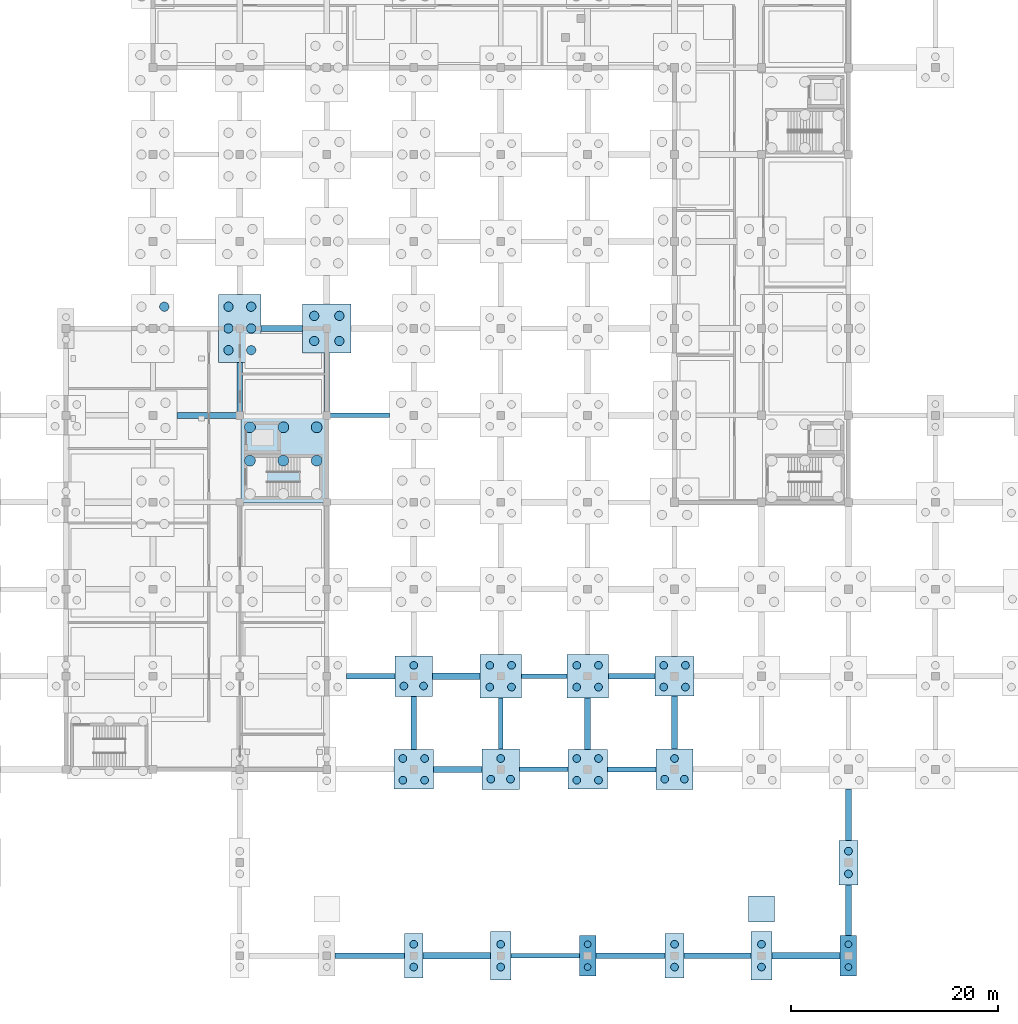
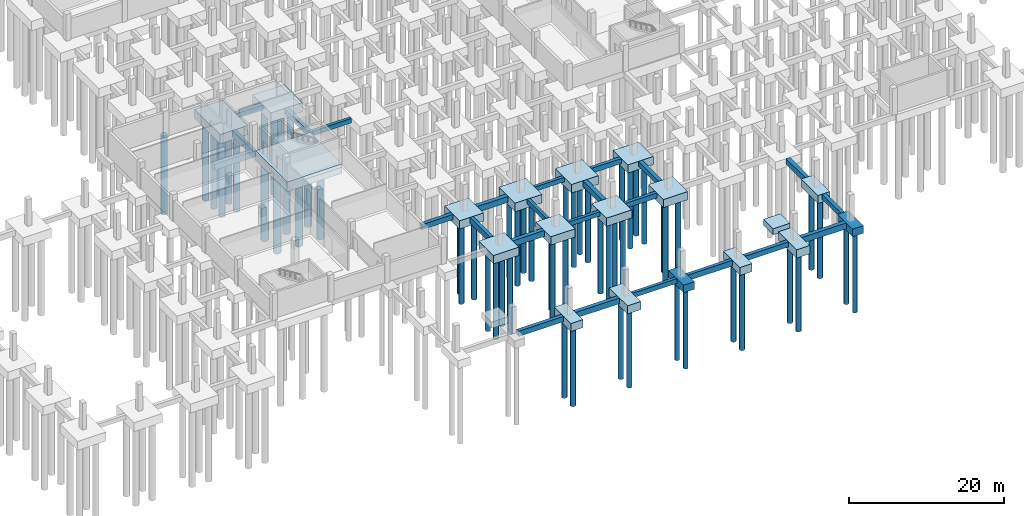
# One storey, part 3 of 20: 60 piles, 43 footings.
"""IFC4 building model written with IfcOpenShell, lengths in metres."""

from ifc_helpers import new_model, si_unit, direction, frame, origin, origin_2d, place, context, subcontext, project, spatial, rectangle, circle, extrude, material, material_profile, profile_set, type_object, element, save


model = new_model("IFC4")

# Units and contexts
model_context = context("Model", 3, precision=1e-05, world=origin(), true_north=direction((0.0, 1.0)))
body_context = subcontext(model_context, "Body", "Model", "MODEL_VIEW")
ifc_project = project(units=[si_unit("LENGTHUNIT", "METRE"), si_unit("AREAUNIT", "SQUARE_METRE"), si_unit("VOLUMEUNIT", "CUBIC_METRE"), si_unit("PLANEANGLEUNIT", "RADIAN"), si_unit("MASSUNIT", "GRAM", prefix="KILO")], contexts=[model_context])

# Site, building, storey
site_placement = place(None, origin())
site = spatial("IfcSite", under=ifc_project, at=site_placement, CompositionType="ELEMENT")
building_placement = place(site_placement, origin())
building = spatial("IfcBuilding", under=site, at=building_placement, Name="Vireocrest Preparatory School", CompositionType="ELEMENT")
storey_placement = place(building_placement, frame((0.0, 0.0, -4.199951171875)))
storey = spatial("IfcBuildingStorey", under=building, at=storey_placement, Name="B01", CompositionType="ELEMENT", Elevation=-4.199951171875)

# Piles
ifc_material = material(Name="Concrete 40 MPa", Category="concrete")
ifc_material_profile_1 = material_profile(ifc_material, circle(Radius=0.52490234375, at=origin_2d()), Name="BORED PILE 1050")
ifc_profile_set_1 = profile_set([ifc_material_profile_1], Name="Concrete 40 MPa")
pile_type_1 = type_object("IfcPileType", Name="Bored Concrete Pile 1050", PredefinedType="BORED", material=ifc_profile_set_1)
for number, where, z_axis, x_axis, name in (
    (1, (51.375, 47.824951171875, -1.400146484375), (0.0, 0.0, -1.0), (1.0, 0.0, 0.0), "Bored Pile P04 Core K1-2"),
    (2, (51.375, 51.050048828125, -1.400146484375), (0.0, 0.0, -1.0), (1.0, 0.0, 0.0), "Bored Pile P04 Core K1-3"),
    (3, (54.60009765625, 47.824951171875, -1.400146484375), (0.0, 0.0, -1.0), (1.0, 0.0, 0.0), "Bored Pile P04 Core K1-5"),
    (4, (54.60009765625, 51.050048828125, -1.400146484375), (0.0, 0.0, -1.0), (1.0, 0.0, 0.0), "Bored Pile P04 Core K1-6"),
    (5, (57.824951171875, 47.824951171875, -1.400146484375), (0.0, 0.0, -1.0), (1.0, 0.0, 0.0), "Bored Pile P04 Core K1-8"),
    (6, (57.824951171875, 51.050048828125, -1.400146484375), (0.0, 0.0, -1.0), (1.0, 0.0, 0.0), "Bored Pile P04 Core K1-9"),
):
    element("IfcPile", number, at=place(storey_placement, frame(where, z_axis=z_axis, x_axis=x_axis)), inside=storey, type_object=pile_type_1, Name=name, PredefinedType="BORED", context=body_context, shape_type="SweptSolid", body=[
        extrude(circle(Radius=0.52490234375, at=origin_2d()), origin(), (0.0, 0.0, 1.0), 12.39990234375),
    ])
ifc_material_profile_2 = material_profile(ifc_material, circle(Radius=0.324951171875, at=origin_2d()), Name="BORED PILE 650")
ifc_profile_set_2 = profile_set([ifc_material_profile_2], Name="Concrete 40 MPa")
pile_type_2 = type_object("IfcPileType", Name="Bored Concrete Pile 650", PredefinedType="BORED", material=ifc_profile_set_2)
for number, where, z_axis, x_axis, name in (
    (7, (84.0, -1.10009765625, -1.10009765625), (0.0, 0.0, -1.0), (1.0, 0.0, 0.0), "Bored Pile P01 087-1"),
    (8, (84.0, 1.10009765625, -1.10009765625), (0.0, 0.0, -1.0), (1.0, 0.0, 0.0), "Bored Pile P01 087-2"),
    (9, (109.199951171875, -1.10009765625, -1.10009765625), (0.0, 0.0, -1.0), (1.0, 0.0, 0.0), "Bored Pile P01 126-1"),
    (10, (109.199951171875, 1.10009765625, -1.10009765625), (0.0, 0.0, -1.0), (1.0, 0.0, 0.0), "Bored Pile P01 126-2"),
):
    element("IfcPile", number, at=place(storey_placement, frame(where, z_axis=z_axis, x_axis=x_axis)), inside=storey, type_object=pile_type_2, Name=name, PredefinedType="BORED", context=body_context, shape_type="SweptSolid", body=[
        extrude(circle(Radius=0.324951171875, at=origin_2d()), origin(), (0.0, 0.0, 1.0), 12.699951171875),
    ])
ifc_material_profile_3 = material_profile(ifc_material, circle(Radius=0.375, at=origin_2d()), Name="BORED PILE 750")
ifc_profile_set_3 = profile_set([ifc_material_profile_3], Name="Concrete 40 MPa")
pile_type_3 = type_object("IfcPileType", Name="Bored Concrete Pile 750", PredefinedType="BORED", material=ifc_profile_set_3)
for number, where, z_axis, x_axis, name in (
    (11, (67.199951171875, -1.10009765625, -1.150146484375), (0.0, 0.0, -1.0), (1.0, 0.0, 0.0), "Bored Pile P02 061-1"),
    (12, (67.199951171875, 1.10009765625, -1.150146484375), (0.0, 0.0, -1.0), (1.0, 0.0, 0.0), "Bored Pile P02 061-2"),
):
    element("IfcPile", number, at=place(storey_placement, frame(where, z_axis=z_axis, x_axis=x_axis)), inside=storey, type_object=pile_type_3, Name=name, PredefinedType="BORED", context=body_context, shape_type="SweptSolid", body=[
        extrude(circle(Radius=0.375, at=origin_2d()), origin(), (0.0, 0.0, 1.0), 12.64990234375),
    ])
for number, where, z_axis, x_axis, name in (
    (13, (66.14990234375, 16.949951171875, -1.199951171875), (0.0, 0.0, -1.0), (1.0, 0.0, 0.0), "Bored Pile P02 062-1"),
    (14, (68.25, 16.949951171875, -1.199951171875), (0.0, 0.0, -1.0), (1.0, 0.0, 0.0), "Bored Pile P02 062-2"),
    (15, (66.14990234375, 19.050048828125, -1.199951171875), (0.0, 0.0, -1.0), (1.0, 0.0, 0.0), "Bored Pile P02 062-3"),
    (16, (68.25, 19.050048828125, -1.199951171875), (0.0, 0.0, -1.0), (1.0, 0.0, 0.0), "Bored Pile P02 062-4"),
    (17, (66.25, 26.050048828125, -1.199951171875), (0.0, 0.0, -1.0), (1.0, 0.0, 0.0), "Bored Pile P02 063-1"),
    (18, (68.14990234375, 26.050048828125, -1.199951171875), (0.0, 0.0, -1.0), (1.0, 0.0, 0.0), "Bored Pile P02 063-2"),
    (19, (67.199951171875, 28.050048828125, -1.199951171875), (0.0, 0.0, -1.0), (1.0, 0.0, 0.0), "Bored Pile P02 063-3"),
    (20, (75.60009765625, -1.10009765625, -1.199951171875), (0.0, 0.0, -1.0), (1.0, 0.0, 0.0), "Bored Pile P02 074-1"),
    (21, (75.60009765625, 1.10009765625, -1.199951171875), (0.0, 0.0, -1.0), (1.0, 0.0, 0.0), "Bored Pile P02 074-2"),
    (22, (74.64990234375, 17.050048828125, -1.199951171875), (0.0, 0.0, -1.0), (1.0, 0.0, 0.0), "Bored Pile P02 075-1"),
    (23, (76.550048828125, 17.050048828125, -1.199951171875), (0.0, 0.0, -1.0), (1.0, 0.0, 0.0), "Bored Pile P02 075-2"),
    (24, (75.60009765625, 19.050048828125, -1.199951171875), (0.0, 0.0, -1.0), (1.0, 0.0, 0.0), "Bored Pile P02 075-3"),
):
    element("IfcPile", number, at=place(storey_placement, frame(where, z_axis=z_axis, x_axis=x_axis)), inside=storey, type_object=pile_type_3, Name=name, PredefinedType="BORED", context=body_context, shape_type="SweptSolid", body=[
        extrude(circle(Radius=0.375, at=origin_2d()), origin(), (0.0, 0.0, 1.0), 12.60009765625),
    ])
for number, where, z_axis, x_axis, name in (
    (25, (74.550048828125, 25.949951171875, -1.25), (0.0, 0.0, -1.0), (1.0, 0.0, 0.0), "Bored Pile P02 076-1"),
    (26, (76.64990234375, 25.949951171875, -1.25), (0.0, 0.0, -1.0), (1.0, 0.0, 0.0), "Bored Pile P02 076-2"),
    (27, (74.550048828125, 28.050048828125, -1.25), (0.0, 0.0, -1.0), (1.0, 0.0, 0.0), "Bored Pile P02 076-3"),
    (28, (76.64990234375, 28.050048828125, -1.25), (0.0, 0.0, -1.0), (1.0, 0.0, 0.0), "Bored Pile P02 076-4"),
):
    element("IfcPile", number, at=place(storey_placement, frame(where, z_axis=z_axis, x_axis=x_axis)), inside=storey, type_object=pile_type_3, Name=name, PredefinedType="BORED", context=body_context, shape_type="SweptSolid", body=[
        extrude(circle(Radius=0.375, at=origin_2d()), origin(), (0.0, 0.0, 1.0), 12.550048828125),
    ])
for number, where, z_axis, x_axis, name in (
    (29, (82.949951171875, 16.949951171875, -1.199951171875), (0.0, 0.0, -1.0), (1.0, 0.0, 0.0), "Bored Pile P02 088-1"),
    (30, (85.050048828125, 16.949951171875, -1.199951171875), (0.0, 0.0, -1.0), (1.0, 0.0, 0.0), "Bored Pile P02 088-2"),
    (31, (82.949951171875, 19.050048828125, -1.199951171875), (0.0, 0.0, -1.0), (1.0, 0.0, 0.0), "Bored Pile P02 088-3"),
    (32, (85.050048828125, 19.050048828125, -1.199951171875), (0.0, 0.0, -1.0), (1.0, 0.0, 0.0), "Bored Pile P02 088-4"),
):
    element("IfcPile", number, at=place(storey_placement, frame(where, z_axis=z_axis, x_axis=x_axis)), inside=storey, type_object=pile_type_3, Name=name, PredefinedType="BORED", context=body_context, shape_type="SweptSolid", body=[
        extrude(circle(Radius=0.375, at=origin_2d()), origin(), (0.0, 0.0, 1.0), 12.60009765625),
    ])
for number, where, z_axis, x_axis, name in (
    (33, (82.949951171875, 25.949951171875, -1.25), (0.0, 0.0, -1.0), (1.0, 0.0, 0.0), "Bored Pile P02 089-1"),
    (34, (85.050048828125, 25.949951171875, -1.25), (0.0, 0.0, -1.0), (1.0, 0.0, 0.0), "Bored Pile P02 089-2"),
    (35, (82.949951171875, 28.050048828125, -1.25), (0.0, 0.0, -1.0), (1.0, 0.0, 0.0), "Bored Pile P02 089-3"),
    (36, (85.050048828125, 28.050048828125, -1.25), (0.0, 0.0, -1.0), (1.0, 0.0, 0.0), "Bored Pile P02 089-4"),
):
    element("IfcPile", number, at=place(storey_placement, frame(where, z_axis=z_axis, x_axis=x_axis)), inside=storey, type_object=pile_type_3, Name=name, PredefinedType="BORED", context=body_context, shape_type="SweptSolid", body=[
        extrude(circle(Radius=0.375, at=origin_2d()), origin(), (0.0, 0.0, 1.0), 12.550048828125),
    ])
for number, where, z_axis, x_axis, name in (
    (37, (92.39990234375, -1.10009765625, -1.150146484375), (0.0, 0.0, -1.0), (1.0, 0.0, 0.0), "Bored Pile P02 100-1"),
    (38, (92.39990234375, 1.10009765625, -1.150146484375), (0.0, 0.0, -1.0), (1.0, 0.0, 0.0), "Bored Pile P02 100-2"),
):
    element("IfcPile", number, at=place(storey_placement, frame(where, z_axis=z_axis, x_axis=x_axis)), inside=storey, type_object=pile_type_3, Name=name, PredefinedType="BORED", context=body_context, shape_type="SweptSolid", body=[
        extrude(circle(Radius=0.375, at=origin_2d()), origin(), (0.0, 0.0, 1.0), 12.64990234375),
    ])
for number, where, z_axis, x_axis, name in (
    (39, (91.449951171875, 17.050048828125, -1.199951171875), (0.0, 0.0, -1.0), (1.0, 0.0, 0.0), "Bored Pile P02 101-1"),
    (40, (93.35009765625, 17.050048828125, -1.199951171875), (0.0, 0.0, -1.0), (1.0, 0.0, 0.0), "Bored Pile P02 101-2"),
    (41, (92.39990234375, 19.050048828125, -1.199951171875), (0.0, 0.0, -1.0), (1.0, 0.0, 0.0), "Bored Pile P02 101-3"),
    (42, (91.35009765625, 25.949951171875, -1.199951171875), (0.0, 0.0, -1.0), (1.0, 0.0, 0.0), "Bored Pile P02 102-1"),
    (43, (93.449951171875, 25.949951171875, -1.199951171875), (0.0, 0.0, -1.0), (1.0, 0.0, 0.0), "Bored Pile P02 102-2"),
    (44, (91.35009765625, 28.050048828125, -1.199951171875), (0.0, 0.0, -1.0), (1.0, 0.0, 0.0), "Bored Pile P02 102-3"),
    (45, (93.449951171875, 28.050048828125, -1.199951171875), (0.0, 0.0, -1.0), (1.0, 0.0, 0.0), "Bored Pile P02 102-4"),
    (46, (100.800048828125, -1.10009765625, -1.199951171875), (0.0, 0.0, -1.0), (1.0, 0.0, 0.0), "Bored Pile P02 113-1"),
    (47, (100.800048828125, 1.10009765625, -1.199951171875), (0.0, 0.0, -1.0), (1.0, 0.0, 0.0), "Bored Pile P02 113-2"),
):
    element("IfcPile", number, at=place(storey_placement, frame(where, z_axis=z_axis, x_axis=x_axis)), inside=storey, type_object=pile_type_3, Name=name, PredefinedType="BORED", context=body_context, shape_type="SweptSolid", body=[
        extrude(circle(Radius=0.375, at=origin_2d()), origin(), (0.0, 0.0, 1.0), 12.60009765625),
    ])
for number, where, z_axis, x_axis, name in (
    (48, (109.199951171875, 7.89990234375, -1.150146484375), (0.0, 0.0, -1.0), (1.0, 0.0, 0.0), "Bored Pile P02 127-1"),
    (49, (109.199951171875, 10.10009765625, -1.150146484375), (0.0, 0.0, -1.0), (1.0, 0.0, 0.0), "Bored Pile P02 127-2"),
):
    element("IfcPile", number, at=place(storey_placement, frame(where, z_axis=z_axis, x_axis=x_axis)), inside=storey, type_object=pile_type_3, Name=name, PredefinedType="BORED", context=body_context, shape_type="SweptSolid", body=[
        extrude(circle(Radius=0.375, at=origin_2d()), origin(), (0.0, 0.0, 1.0), 12.64990234375),
    ])
ifc_material_profile_4 = material_profile(ifc_material, circle(Radius=0.449951171875, at=origin_2d()), Name="BORED PILE 900")
ifc_profile_set_4 = profile_set([ifc_material_profile_4], Name="Concrete 40 MPa")
pile_type_4 = type_object("IfcPileType", Name="Bored Concrete Pile 900", PredefinedType="BORED", material=ifc_profile_set_4)
for number, where, z_axis, x_axis, name in (
    (50, (43.10009765625, 62.699951171875, -1.35009765625), (0.0, 0.0, -1.0), (1.0, 0.0, 0.0), "Bored Pile P03 027-6"),
    (51, (49.300048828125, 58.5, -1.35009765625), (0.0, 0.0, -1.0), (1.0, 0.0, 0.0), "Bored Pile P03 041-1"),
    (52, (51.5, 58.5, -1.35009765625), (0.0, 0.0, -1.0), (1.0, 0.0, 0.0), "Bored Pile P03 041-2"),
    (53, (49.300048828125, 60.60009765625, -1.35009765625), (0.0, 0.0, -1.0), (1.0, 0.0, 0.0), "Bored Pile P03 041-3"),
    (54, (51.5, 60.60009765625, -1.35009765625), (0.0, 0.0, -1.0), (1.0, 0.0, 0.0), "Bored Pile P03 041-4"),
    (55, (49.300048828125, 62.699951171875, -1.35009765625), (0.0, 0.0, -1.0), (1.0, 0.0, 0.0), "Bored Pile P03 041-5"),
    (56, (51.5, 62.699951171875, -1.35009765625), (0.0, 0.0, -1.0), (1.0, 0.0, 0.0), "Bored Pile P03 041-6"),
    (57, (57.5849609375, 59.385009765625, -1.35009765625), (0.0, 0.0, -1.0), (1.0, 0.0, 0.0), "Bored Pile P03 054-1"),
    (58, (60.014892578125, 59.385009765625, -1.35009765625), (0.0, 0.0, -1.0), (1.0, 0.0, 0.0), "Bored Pile P03 054-2"),
    (59, (57.5849609375, 61.81494140625, -1.35009765625), (0.0, 0.0, -1.0), (1.0, 0.0, 0.0), "Bored Pile P03 054-3"),
    (60, (60.014892578125, 61.81494140625, -1.35009765625), (0.0, 0.0, -1.0), (1.0, 0.0, 0.0), "Bored Pile P03 054-4"),
):
    element("IfcPile", number, at=place(storey_placement, frame(where, z_axis=z_axis, x_axis=x_axis)), inside=storey, type_object=pile_type_4, Name=name, PredefinedType="BORED", context=body_context, shape_type="SweptSolid", body=[
        extrude(circle(Radius=0.449951171875, at=origin_2d()), origin(), (0.0, 0.0, 1.0), 12.449951171875),
    ])

# Footings
footing_type_1 = type_object("IfcFootingType", Name="Combined Core Pile Cap 7600x8200x1500", PredefinedType="PILE_CAP", material=ifc_material)
footing_1_placement = place(storey_placement, frame((54.60009765625, 47.824951171875, -1.5), z_axis=(0.0, 0.0, 1.0), x_axis=(1.0, 0.0, 0.0)))
element("IfcFooting", 61, at=footing_1_placement, inside=storey, type_object=footing_type_1, Name="Combined Core Pile Cap K1", PredefinedType="PILE_CAP", context=body_context, shape_type="SweptSolid", body=[
    extrude(rectangle(XDim=8.199951171875, YDim=8.199951171875, at=origin_2d()), origin(), (0.0, 0.0, 1.0), 1.5),
])
footing_type_2 = type_object("IfcFootingType", Name="Four-Pile Cap 3800x3800x1300", PredefinedType="PILE_CAP", material=ifc_material)
for number, where, z_axis, x_axis, name in (
    (62, (67.199951171875, 18.0, -1.30029296875), (0.0, 0.0, 1.0), (1.0, 0.0, 0.0), "Pile Cap PC05 at (67.2, 18.0)"),
    (63, (84.0, 18.0, -1.30029296875), (0.0, 0.0, 1.0), (1.0, 0.0, 0.0), "Pile Cap PC05 at (84.0, 18.0)"),
    (64, (92.39990234375, 27.0, -1.30029296875), (0.0, 0.0, 1.0), (1.0, 0.0, 0.0), "Pile Cap PC05 at (92.4, 27.0)"),
):
    element("IfcFooting", number, at=place(storey_placement, frame(where, z_axis=z_axis, x_axis=x_axis)), inside=storey, type_object=footing_type_2, Name=name, PredefinedType="PILE_CAP", context=body_context, shape_type="SweptSolid", body=[
        extrude(rectangle(XDim=3.800048828125, YDim=3.800048828125, at=origin_2d()), origin(), (0.0, 0.0, 1.0), 1.300048828125),
    ])
footing_type_3 = type_object("IfcFootingType", Name="Four-Pile Cap 4700x4700x1450", PredefinedType="PILE_CAP", material=ifc_material)
footing_2_placement = place(storey_placement, frame((58.800048828125, 60.60009765625, -1.4501953125), z_axis=(0.0, 0.0, 1.0), x_axis=(1.0, 0.0, 0.0)))
element("IfcFooting", 65, at=footing_2_placement, inside=storey, type_object=footing_type_3, Name="Pile Cap PC08 at (58.8, 60.6)", PredefinedType="PILE_CAP", context=body_context, shape_type="SweptSolid", body=[
    extrude(rectangle(XDim=4.699951171875, YDim=4.699951171875, at=origin_2d()), origin(), (0.0, 0.0, 1.0), 1.449951171875),
])
footing_type_4 = type_object("IfcFootingType", Name="Four-Pile Court V-Trunk Cap 4000x4200x1350", PredefinedType="PILE_CAP", material=ifc_material)
for number, where, z_axis, x_axis, name in (
    (66, (75.60009765625, 27.0, -1.35009765625), (0.0, 0.0, 1.0), (1.0, 0.0, 0.0), "Pile Cap PC09 at (75.6, 27.0)"),
    (67, (84.0, 27.0, -1.35009765625), (0.0, 0.0, 1.0), (1.0, 0.0, 0.0), "Pile Cap PC09 at (84.0, 27.0)"),
):
    element("IfcFooting", number, at=place(storey_placement, frame(where, z_axis=z_axis, x_axis=x_axis)), inside=storey, type_object=footing_type_4, Name=name, PredefinedType="PILE_CAP", context=body_context, shape_type="SweptSolid", body=[
        extrude(rectangle(XDim=4.0, YDim=4.199951171875, at=origin_2d()), origin(), (0.0, 0.0, 1.0), 1.35009765625),
    ])
footing_type_5 = type_object("IfcFootingType", Name="Pavilion Plinth Pad Footing 2500x2500x950", PredefinedType="PAD_FOOTING", material=ifc_material)
footing_3_placement = place(storey_placement, frame((100.800048828125, 4.5, -0.9501953125), z_axis=(0.0, 0.0, 1.0), x_axis=(1.0, 0.0, 0.0)))
element("IfcFooting", 68, at=footing_3_placement, inside=storey, type_object=footing_type_5, Name="Pad Footing PF02-04", PredefinedType="PAD_FOOTING", context=body_context, shape_type="SweptSolid", body=[
    extrude(rectangle(XDim=2.5, YDim=2.5, at=origin_2d()), origin(), (0.0, 0.0, 1.0), 0.949951171875),
])
ifc_material_profile_5 = material_profile(ifc_material, rectangle(XDim=0.550048828125, YDim=0.800048828125, at=origin_2d()), Name="GB 550x800")
ifc_profile_set_5 = profile_set([ifc_material_profile_5], Name="Concrete 40 MPa")
footing_type_6 = type_object("IfcFootingType", Name="RC Court Tie Beam 550x800", PredefinedType="FOOTING_BEAM", material=ifc_profile_set_5)
footing_4_placement = place(storey_placement, frame((93.300048828125, 0.0, -0.400146484375), z_axis=(1.0, 0.0, 0.0), x_axis=(0.0, 1.0, 0.0)))
element("IfcFooting", 69, at=footing_4_placement, inside=storey, type_object=footing_type_6, Name="Foundation Grade Beam GB06-006", PredefinedType="FOOTING_BEAM", context=body_context, shape_type="SweptSolid", body=[
    extrude(rectangle(XDim=0.550048828125, YDim=0.800048828125, at=origin_2d()), origin(), (0.0, 0.0, 1.0), 6.5),
])
footing_5_placement = place(storey_placement, frame((60.699951171875, 27.0, -0.400146484375), z_axis=(1.0, 0.0, 0.0), x_axis=(0.0, 1.0, 0.0)))
element("IfcFooting", 70, at=footing_5_placement, inside=storey, type_object=footing_type_6, Name="Foundation Grade Beam GB06-030", PredefinedType="FOOTING_BEAM", context=body_context, shape_type="SweptSolid", body=[
    extrude(rectangle(XDim=0.550048828125, YDim=0.800048828125, at=origin_2d()), origin(), (0.0, 0.0, 1.0), 4.699951171875),
])
footing_6_placement = place(storey_placement, frame((52.449951171875, 60.60009765625, -0.400146484375), z_axis=(1.0, 0.0, 0.0), x_axis=(0.0, 1.0, 0.0)))
element("IfcFooting", 71, at=footing_6_placement, inside=storey, type_object=footing_type_6, Name="Foundation Grade Beam GB06-086", PredefinedType="FOOTING_BEAM", context=body_context, shape_type="SweptSolid", body=[
    extrude(rectangle(XDim=0.550048828125, YDim=0.800048828125, at=origin_2d()), origin(), (0.0, 0.0, 1.0), 4.0),
])
footing_7_placement = place(storey_placement, frame((58.800048828125, 51.925048828125, -0.400146484375), z_axis=(0.0, 1.0, 0.0), x_axis=(-1.0, 0.0, 0.0)))
element("IfcFooting", 72, at=footing_7_placement, inside=storey, type_object=footing_type_6, Name="Foundation Grade Beam GB06-182", PredefinedType="FOOTING_BEAM", context=body_context, shape_type="SweptSolid", body=[
    extrude(rectangle(XDim=0.550048828125, YDim=0.800048828125, at=origin_2d()), origin(), (0.0, 0.0, 1.0), 6.324951171875),
])
footing_8_placement = place(storey_placement, frame((92.39990234375, 19.949951171875, -0.400146484375), z_axis=(0.0, 1.0, 0.0), x_axis=(-1.0, 0.0, 0.0)))
element("IfcFooting", 73, at=footing_8_placement, inside=storey, type_object=footing_type_6, Name="Foundation Grade Beam GB06-222", PredefinedType="FOOTING_BEAM", context=body_context, shape_type="SweptSolid", body=[
    extrude(rectangle(XDim=0.550048828125, YDim=0.800048828125, at=origin_2d()), origin(), (0.0, 0.0, 1.0), 5.150146484375),
])
ifc_material_profile_6 = material_profile(ifc_material, rectangle(XDim=0.5, YDim=0.800048828125, at=origin_2d()), Name="GB 500x800")
ifc_profile_set_6 = profile_set([ifc_material_profile_6], Name="Concrete 40 MPa")
footing_type_7 = type_object("IfcFootingType", Name="RC Foundation Grade Beam 500x800", PredefinedType="FOOTING_BEAM", material=ifc_profile_set_6)
footing_9_placement = place(storey_placement, frame((85.89990234375, 18.0, -0.400146484375), z_axis=(1.0, 0.0, 0.0), x_axis=(0.0, 1.0, 0.0)))
element("IfcFooting", 74, at=footing_9_placement, inside=storey, type_object=footing_type_7, Name="Foundation Grade Beam GB01-017", PredefinedType="FOOTING_BEAM", context=body_context, shape_type="SweptSolid", body=[
    extrude(rectangle(XDim=0.5, YDim=0.800048828125, at=origin_2d()), origin(), (0.0, 0.0, 1.0), 4.7001953125),
])
footing_10_placement = place(storey_placement, frame((86.0, 27.0, -0.400146484375), z_axis=(1.0, 0.0, 0.0), x_axis=(0.0, 1.0, 0.0)))
element("IfcFooting", 75, at=footing_10_placement, inside=storey, type_object=footing_type_7, Name="Foundation Grade Beam GB01-033", PredefinedType="FOOTING_BEAM", context=body_context, shape_type="SweptSolid", body=[
    extrude(rectangle(XDim=0.5, YDim=0.800048828125, at=origin_2d()), origin(), (0.0, 0.0, 1.0), 4.5),
])
ifc_material_profile_7 = material_profile(ifc_material, rectangle(XDim=0.550048828125, YDim=0.85009765625, at=origin_2d()), Name="GB 550x850")
ifc_profile_set_7 = profile_set([ifc_material_profile_7], Name="Concrete 40 MPa")
footing_type_8 = type_object("IfcFootingType", Name="RC Foundation Grade Beam 550x850", PredefinedType="FOOTING_BEAM", material=ifc_profile_set_7)
footing_11_placement = place(storey_placement, frame((59.60009765625, 0.0, -0.425048828125), z_axis=(1.0, 0.0, 0.0), x_axis=(0.0, 1.0, 0.0)))
element("IfcFooting", 76, at=footing_11_placement, inside=storey, type_object=footing_type_8, Name="Foundation Grade Beam GB02-002", PredefinedType="FOOTING_BEAM", context=body_context, shape_type="SweptSolid", body=[
    extrude(rectangle(XDim=0.550048828125, YDim=0.85009765625, at=origin_2d()), origin(), (0.0, 0.0, 1.0), 6.699951171875),
])
footing_12_placement = place(storey_placement, frame((109.199951171875, 1.949951171875, -0.425048828125), z_axis=(0.0, 1.0, 0.0), x_axis=(-1.0, 0.0, 0.0)))
element("IfcFooting", 77, at=footing_12_placement, inside=storey, type_object=footing_type_8, Name="Foundation Grade Beam GB02-242", PredefinedType="FOOTING_BEAM", context=body_context, shape_type="SweptSolid", body=[
    extrude(rectangle(XDim=0.550048828125, YDim=0.85009765625, at=origin_2d()), origin(), (0.0, 0.0, 1.0), 4.900146484375),
])
ifc_material_profile_8 = material_profile(ifc_material, rectangle(XDim=0.60009765625, YDim=0.89990234375, at=origin_2d()), Name="GB 600x900")
ifc_profile_set_8 = profile_set([ifc_material_profile_8], Name="Concrete 40 MPa")
footing_type_9 = type_object("IfcFootingType", Name="RC Foundation Grade Beam 600x900", PredefinedType="FOOTING_BEAM", material=ifc_profile_set_8)
footing_13_placement = place(storey_placement, frame((68.10009765625, 0.0, -0.449951171875), z_axis=(1.0, 0.0, 0.0), x_axis=(0.0, 1.0, 0.0)))
element("IfcFooting", 78, at=footing_13_placement, inside=storey, type_object=footing_type_9, Name="Foundation Grade Beam GB03-003", PredefinedType="FOOTING_BEAM", context=body_context, shape_type="SweptSolid", body=[
    extrude(rectangle(XDim=0.60009765625, YDim=0.89990234375, at=origin_2d()), origin(), (0.0, 0.0, 1.0), 6.5),
])
footing_14_placement = place(storey_placement, frame((84.0, 19.89990234375, -0.449951171875), z_axis=(0.0, 1.0, 0.0), x_axis=(-1.0, 0.0, 0.0)))
element("IfcFooting", 79, at=footing_14_placement, inside=storey, type_object=footing_type_9, Name="Foundation Grade Beam GB03-211", PredefinedType="FOOTING_BEAM", context=body_context, shape_type="SweptSolid", body=[
    extrude(rectangle(XDim=0.60009765625, YDim=0.89990234375, at=origin_2d()), origin(), (0.0, 0.0, 1.0), 5.0),
])
footing_15_placement = place(storey_placement, frame((109.199951171875, 11.14990234375, -0.449951171875), z_axis=(0.0, 1.0, 0.0), x_axis=(-1.0, 0.0, 0.0)))
element("IfcFooting", 80, at=footing_15_placement, inside=storey, type_object=footing_type_9, Name="Foundation Grade Beam GB03-243", PredefinedType="FOOTING_BEAM", context=body_context, shape_type="SweptSolid", body=[
    extrude(rectangle(XDim=0.60009765625, YDim=0.89990234375, at=origin_2d()), origin(), (0.0, 0.0, 1.0), 4.9501953125),
])
ifc_material_profile_9 = material_profile(ifc_material, rectangle(XDim=0.449951171875, YDim=0.75, at=origin_2d()), Name="GB 450x750")
ifc_profile_set_9 = profile_set([ifc_material_profile_9], Name="Concrete 40 MPa")
footing_type_10 = type_object("IfcFootingType", Name="RC Foundation Tie Beam 450x750", PredefinedType="FOOTING_BEAM", material=ifc_profile_set_9)
footing_16_placement = place(storey_placement, frame((76.60009765625, 0.0, -0.375), z_axis=(1.0, 0.0, 0.0), x_axis=(0.0, 1.0, 0.0)))
element("IfcFooting", 81, at=footing_16_placement, inside=storey, type_object=footing_type_10, Name="Foundation Grade Beam GB04-004", PredefinedType="FOOTING_BEAM", context=body_context, shape_type="SweptSolid", body=[
    extrude(rectangle(XDim=0.449951171875, YDim=0.75, at=origin_2d()), origin(), (0.0, 0.0, 1.0), 6.599853515625),
])
ifc_material_profile_10 = material_profile(ifc_material, rectangle(XDim=0.449951171875, YDim=0.699951171875, at=origin_2d()), Name="GB 450x700")
ifc_profile_set_10 = profile_set([ifc_material_profile_10], Name="Concrete 40 MPa")
footing_type_11 = type_object("IfcFootingType", Name="RC Pavilion Tie Beam 450x700", PredefinedType="FOOTING_BEAM", material=ifc_profile_set_10)
footing_17_placement = place(storey_placement, frame((77.39990234375, 18.0, -0.35009765625), z_axis=(1.0, 0.0, 0.0), x_axis=(0.0, 1.0, 0.0)))
element("IfcFooting", 82, at=footing_17_placement, inside=storey, type_object=footing_type_11, Name="Foundation Grade Beam GB08-016", PredefinedType="FOOTING_BEAM", context=body_context, shape_type="SweptSolid", body=[
    extrude(rectangle(XDim=0.449951171875, YDim=0.699951171875, at=origin_2d()), origin(), (0.0, 0.0, 1.0), 4.7001953125),
])
footing_18_placement = place(storey_placement, frame((77.60009765625, 27.0, -0.35009765625), z_axis=(1.0, 0.0, 0.0), x_axis=(0.0, 1.0, 0.0)))
element("IfcFooting", 83, at=footing_18_placement, inside=storey, type_object=footing_type_11, Name="Foundation Grade Beam GB08-032", PredefinedType="FOOTING_BEAM", context=body_context, shape_type="SweptSolid", body=[
    extrude(rectangle(XDim=0.449951171875, YDim=0.699951171875, at=origin_2d()), origin(), (0.0, 0.0, 1.0), 4.39990234375),
])
footing_19_placement = place(storey_placement, frame((58.699951171875, 52.199951171875, -0.35009765625), z_axis=(1.0, 0.0, 0.0), x_axis=(0.0, 1.0, 0.0)))
element("IfcFooting", 84, at=footing_19_placement, inside=storey, type_object=footing_type_11, Name="Foundation Grade Beam GB08-072", PredefinedType="FOOTING_BEAM", context=body_context, shape_type="SweptSolid", body=[
    extrude(rectangle(XDim=0.449951171875, YDim=0.699951171875, at=origin_2d()), origin(), (0.0, 0.0, 1.0), 6.150146484375),
])
footing_20_placement = place(storey_placement, frame((75.60009765625, 19.949951171875, -0.35009765625), z_axis=(0.0, 1.0, 0.0), x_axis=(-1.0, 0.0, 0.0)))
element("IfcFooting", 85, at=footing_20_placement, inside=storey, type_object=footing_type_11, Name="Foundation Grade Beam GB08-200", PredefinedType="FOOTING_BEAM", context=body_context, shape_type="SweptSolid", body=[
    extrude(rectangle(XDim=0.449951171875, YDim=0.699951171875, at=origin_2d()), origin(), (0.0, 0.0, 1.0), 4.949951171875),
])
ifc_material_profile_11 = material_profile(ifc_material, rectangle(XDim=0.5, YDim=0.89990234375, at=origin_2d()), Name="GB 500x900")
ifc_profile_set_11 = profile_set([ifc_material_profile_11], Name="Concrete 40 MPa")
footing_type_12 = type_object("IfcFootingType", Name="RC Perimeter Grade Beam 500x900", PredefinedType="FOOTING_BEAM", material=ifc_profile_set_11)
footing_21_placement = place(storey_placement, frame((84.800048828125, 0.0, -0.449951171875), z_axis=(1.0, 0.0, 0.0), x_axis=(0.0, 1.0, 0.0)))
element("IfcFooting", 86, at=footing_21_placement, inside=storey, type_object=footing_type_12, Name="Foundation Grade Beam GB05-005", PredefinedType="FOOTING_BEAM", context=body_context, shape_type="SweptSolid", body=[
    extrude(rectangle(XDim=0.5, YDim=0.89990234375, at=origin_2d()), origin(), (0.0, 0.0, 1.0), 6.699951171875),
])
footing_22_placement = place(storey_placement, frame((50.39990234375, 51.925048828125, -0.449951171875), z_axis=(0.0, 1.0, 0.0), x_axis=(-1.0, 0.0, 0.0)))
element("IfcFooting", 87, at=footing_22_placement, inside=storey, type_object=footing_type_12, Name="Foundation Grade Beam GB05-173", PredefinedType="FOOTING_BEAM", context=body_context, shape_type="SweptSolid", body=[
    extrude(rectangle(XDim=0.5, YDim=0.89990234375, at=origin_2d()), origin(), (0.0, 0.0, 1.0), 5.375),
])
footing_23_placement = place(storey_placement, frame((67.199951171875, 19.89990234375, -0.449951171875), z_axis=(0.0, 1.0, 0.0), x_axis=(-1.0, 0.0, 0.0)))
element("IfcFooting", 88, at=footing_23_placement, inside=storey, type_object=footing_type_12, Name="Foundation Grade Beam GB05-189", PredefinedType="FOOTING_BEAM", context=body_context, shape_type="SweptSolid", body=[
    extrude(rectangle(XDim=0.5, YDim=0.89990234375, at=origin_2d()), origin(), (0.0, 0.0, 1.0), 5.150146484375),
])
ifc_material_profile_12 = material_profile(ifc_material, rectangle(XDim=0.60009765625, YDim=0.949951171875, at=origin_2d()), Name="GB 600x950")
ifc_profile_set_12 = profile_set([ifc_material_profile_12], Name="Concrete 40 MPa")
footing_type_13 = type_object("IfcFootingType", Name="RC Vault Tie Grade Beam 600x950", PredefinedType="FOOTING_BEAM", material=ifc_profile_set_12)
footing_24_placement = place(storey_placement, frame((101.800048828125, 0.0, -0.47509765625), z_axis=(1.0, 0.0, 0.0), x_axis=(0.0, 1.0, 0.0)))
element("IfcFooting", 89, at=footing_24_placement, inside=storey, type_object=footing_type_13, Name="Foundation Grade Beam GB07-007", PredefinedType="FOOTING_BEAM", context=body_context, shape_type="SweptSolid", body=[
    extrude(rectangle(XDim=0.60009765625, YDim=0.949951171875, at=origin_2d()), origin(), (0.0, 0.0, 1.0), 6.599853515625),
])
footing_25_placement = place(storey_placement, frame((69.10009765625, 18.0, -0.47509765625), z_axis=(1.0, 0.0, 0.0), x_axis=(0.0, 1.0, 0.0)))
element("IfcFooting", 90, at=footing_25_placement, inside=storey, type_object=footing_type_13, Name="Foundation Grade Beam GB07-015", PredefinedType="FOOTING_BEAM", context=body_context, shape_type="SweptSolid", body=[
    extrude(rectangle(XDim=0.60009765625, YDim=0.949951171875, at=origin_2d()), origin(), (0.0, 0.0, 1.0), 4.699951171875),
])
footing_26_placement = place(storey_placement, frame((69.0, 27.0, -0.47509765625), z_axis=(1.0, 0.0, 0.0), x_axis=(0.0, 1.0, 0.0)))
element("IfcFooting", 91, at=footing_26_placement, inside=storey, type_object=footing_type_13, Name="Foundation Grade Beam GB07-031", PredefinedType="FOOTING_BEAM", context=body_context, shape_type="SweptSolid", body=[
    extrude(rectangle(XDim=0.60009765625, YDim=0.949951171875, at=origin_2d()), origin(), (0.0, 0.0, 1.0), 4.60009765625),
])
footing_27_placement = place(storey_placement, frame((44.35009765625, 52.199951171875, -0.47509765625), z_axis=(1.0, 0.0, 0.0), x_axis=(0.0, 1.0, 0.0)))
element("IfcFooting", 92, at=footing_27_placement, inside=storey, type_object=footing_type_13, Name="Foundation Grade Beam GB07-071", PredefinedType="FOOTING_BEAM", context=body_context, shape_type="SweptSolid", body=[
    extrude(rectangle(XDim=0.60009765625, YDim=0.949951171875, at=origin_2d()), origin(), (0.0, 0.0, 1.0), 6.14990234375),
])
footing_type_14 = type_object("IfcFootingType", Name="Six-Pile Rectangular Cap 4100x6600x1450", PredefinedType="PILE_CAP", material=ifc_material)
footing_28_placement = place(storey_placement, frame((50.39990234375, 60.60009765625, -1.4501953125), z_axis=(0.0, 0.0, 1.0), x_axis=(1.0, 0.0, 0.0)))
element("IfcFooting", 93, at=footing_28_placement, inside=storey, type_object=footing_type_14, Name="Pile Cap PC11 at (50.4, 60.6)", PredefinedType="PILE_CAP", context=body_context, shape_type="SweptSolid", body=[
    extrude(rectangle(XDim=4.10009765625, YDim=6.60009765625, at=origin_2d()), origin(), (0.0, 0.0, 1.0), 1.449951171875),
])
footing_type_15 = type_object("IfcFootingType", Name="Three-Pile Cap 3600x3900x1300", PredefinedType="PILE_CAP", material=ifc_material)
for number, where, z_axis, x_axis, name in (
    (94, (67.199951171875, 27.0, -1.30029296875), (0.0, 0.0, 1.0), (1.0, 0.0, 0.0), "Pile Cap PC04 at (67.2, 27.0)"),
    (95, (75.60009765625, 18.0, -1.30029296875), (0.0, 0.0, 1.0), (1.0, 0.0, 0.0), "Pile Cap PC04 at (75.6, 18.0)"),
    (96, (92.39990234375, 18.0, -1.30029296875), (0.0, 0.0, 1.0), (1.0, 0.0, 0.0), "Pile Cap PC04 at (92.4, 18.0)"),
):
    element("IfcFooting", number, at=place(storey_placement, frame(where, z_axis=z_axis, x_axis=x_axis)), inside=storey, type_object=footing_type_15, Name=name, PredefinedType="PILE_CAP", context=body_context, shape_type="SweptSolid", body=[
        extrude(rectangle(XDim=3.60009765625, YDim=3.89990234375, at=origin_2d()), origin(), (0.0, 0.0, 1.0), 1.300048828125),
    ])
footing_type_16 = type_object("IfcFootingType", Name="Two-Pile Cap 1600x3900x1200", PredefinedType="PILE_CAP", material=ifc_material)
for number, where, z_axis, x_axis, name in (
    (97, (84.0, 0.0, -1.2001953125), (0.0, 0.0, 1.0), (1.0, 0.0, 0.0), "Pile Cap PC01 at (84.0, 0.0)"),
    (98, (109.199951171875, 0.0, -1.2001953125), (0.0, 0.0, 1.0), (1.0, 0.0, 0.0), "Pile Cap PC01 at (109.2, 0.0)"),
):
    element("IfcFooting", number, at=place(storey_placement, frame(where, z_axis=z_axis, x_axis=x_axis)), inside=storey, type_object=footing_type_16, Name=name, PredefinedType="PILE_CAP", context=body_context, shape_type="SweptSolid", body=[
        extrude(rectangle(XDim=1.60009765625, YDim=3.89990234375, at=origin_2d()), origin(), (0.0, 0.0, 1.0), 1.199951171875),
    ])
footing_type_17 = type_object("IfcFootingType", Name="Two-Pile Cap 1800x4300x1250", PredefinedType="PILE_CAP", material=ifc_material)
for number, where, z_axis, x_axis, name in (
    (99, (67.199951171875, 0.0, -1.25), (0.0, 0.0, 1.0), (1.0, 0.0, 0.0), "Pile Cap PC02 at (67.2, 0.0)"),
    (100, (92.39990234375, 0.0, -1.25), (0.0, 0.0, 1.0), (1.0, 0.0, 0.0), "Pile Cap PC02 at (92.4, 0.0)"),
    (101, (109.199951171875, 9.0, -1.25), (0.0, 0.0, 1.0), (1.0, 0.0, 0.0), "Pile Cap PC02 at (109.2, 9.0)"),
):
    element("IfcFooting", number, at=place(storey_placement, frame(where, z_axis=z_axis, x_axis=x_axis)), inside=storey, type_object=footing_type_17, Name=name, PredefinedType="PILE_CAP", context=body_context, shape_type="SweptSolid", body=[
        extrude(rectangle(XDim=1.800048828125, YDim=4.300048828125, at=origin_2d()), origin(), (0.0, 0.0, 1.0), 1.25),
    ])
footing_type_18 = type_object("IfcFootingType", Name="Two-Pile Cap 2000x4700x1300", PredefinedType="PILE_CAP", material=ifc_material)
for number, where, z_axis, x_axis, name in (
    (102, (75.60009765625, 0.0, -1.30029296875), (0.0, 0.0, 1.0), (1.0, 0.0, 0.0), "Pile Cap PC03 at (75.6, 0.0)"),
    (103, (100.800048828125, 0.0, -1.30029296875), (0.0, 0.0, 1.0), (1.0, 0.0, 0.0), "Pile Cap PC03 at (100.8, 0.0)"),
):
    element("IfcFooting", number, at=place(storey_placement, frame(where, z_axis=z_axis, x_axis=x_axis)), inside=storey, type_object=footing_type_18, Name=name, PredefinedType="PILE_CAP", context=body_context, shape_type="SweptSolid", body=[
        extrude(rectangle(XDim=2.0, YDim=4.699951171875, at=origin_2d()), origin(), (0.0, 0.0, 1.0), 1.300048828125),
    ])

save(model, "model.ifc")
